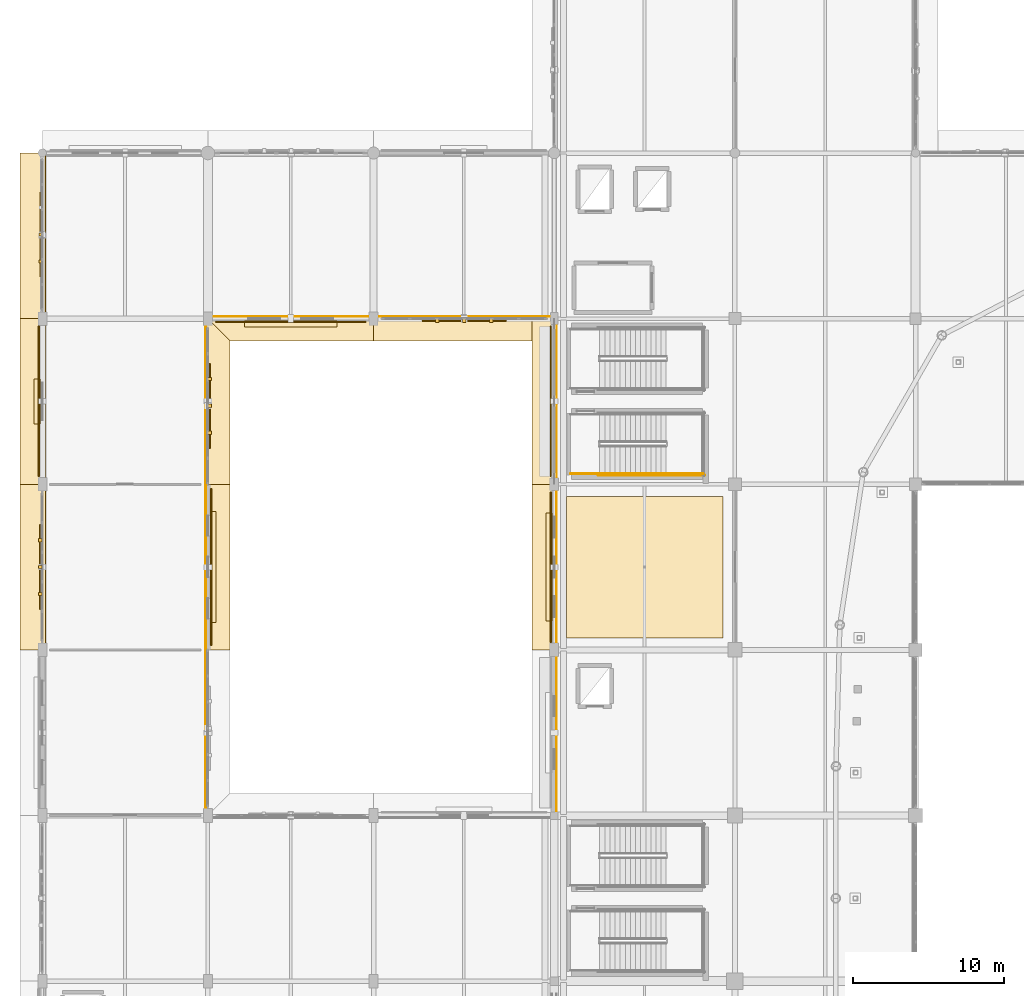
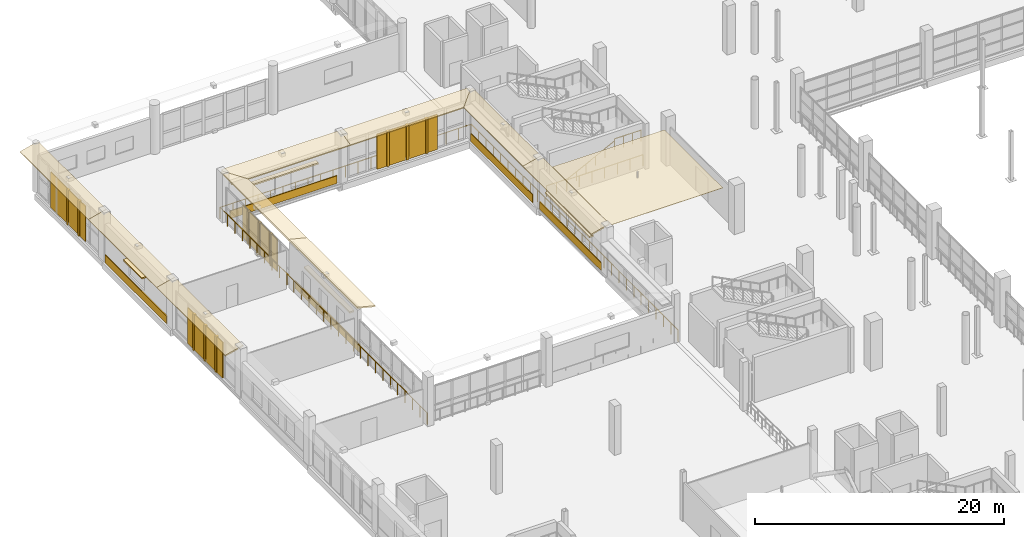
# One storey, part 125 of 143: 30 coverings, 7 railings, 4 shading devices.
"""IFC4 building model written with IfcOpenShell, lengths in metres."""

from ifc_helpers import new_model, si_unit, direction, frame, origin, origin_2d, place, context, subcontext, project, spatial, polyline, rectangle, circle, outline, extrude, material, layer, layer_set, type_object, element, save


model = new_model("IFC4")

# Units and contexts
model_context = context("Model", 3, precision=1e-05, world=origin(), true_north=direction((0.0, 1.0)))
body_context = subcontext(model_context, "Body", "Model", "MODEL_VIEW")
ifc_project = project(units=[si_unit("LENGTHUNIT", "METRE"), si_unit("AREAUNIT", "SQUARE_METRE"), si_unit("VOLUMEUNIT", "CUBIC_METRE"), si_unit("PLANEANGLEUNIT", "RADIAN"), si_unit("MASSUNIT", "GRAM", prefix="KILO")], contexts=[model_context])

# Site, building, storey
site_placement = place(None, origin())
site = spatial("IfcSite", under=ifc_project, at=site_placement, CompositionType="ELEMENT")
building_placement = place(site_placement, origin())
building = spatial("IfcBuilding", under=site, at=building_placement, Name="Luwafu Chhajja Arena", CompositionType="ELEMENT")
storey_placement = place(building_placement, frame((0.0, 0.0, 5.39990234375)))
storey = spatial("IfcBuildingStorey", under=building, at=storey_placement, Name="L01", CompositionType="ELEMENT", Elevation=5.39990234375)

# Railings
ifc_material_1 = material(Name="Stainless steel balustrade", Category="steel")
railing_type_1 = type_object("IfcRailingType", Name="Atrium Void Glazed Balustrade 1150", PredefinedType="BALUSTRADE", material=ifc_material_1)
railing_1_placement = place(storey_placement, frame((34.14990234375, 54.85009765625, 0.0)))
element("IfcRailing", 1, at=railing_1_placement, inside=storey, type_object=railing_type_1, Name="L01 Warm-Up Court Gallery Balustrade 0025", PredefinedType="BALUSTRADE", context=body_context, shape_type="SweptSolid", body=[
    extrude(circle(Radius=0.02392578125, at=origin_2d()), frame((0.0, 0.0, 1.1259765625), z_axis=(0.0, 1.0, 0.0), x_axis=(-1.0, 0.0, 0.0)), (0.0, 0.0, 1.0), 33.2998046875),
    extrude(circle(Radius=0.02099609375, at=origin_2d()), origin(), (0.0, 0.0, 1.0), 1.101806640625),
    extrude(circle(Radius=0.02099609375, at=origin_2d()), frame((0.0, 1.189208984375, 0.0)), (0.0, 0.0, 1.0), 1.101806640625),
    extrude(circle(Radius=0.02099609375, at=origin_2d()), frame((0.0, 2.378662109375, 0.0)), (0.0, 0.0, 1.0), 1.101806640625),
    extrude(circle(Radius=0.02099609375, at=origin_2d()), frame((0.0, 3.56787109375, 0.0)), (0.0, 0.0, 1.0), 1.101806640625),
    extrude(circle(Radius=0.02099609375, at=origin_2d()), frame((0.0, 4.757080078125, 0.0)), (0.0, 0.0, 1.0), 1.101806640625),
    extrude(circle(Radius=0.02099609375, at=origin_2d()), frame((0.0, 5.9462890625, 0.0)), (0.0, 0.0, 1.0), 1.101806640625),
    extrude(circle(Radius=0.02099609375, at=origin_2d()), frame((0.0, 7.1357421875, 0.0)), (0.0, 0.0, 1.0), 1.101806640625),
    extrude(circle(Radius=0.02099609375, at=origin_2d()), frame((0.0, 8.324951171875, 0.0)), (0.0, 0.0, 1.0), 1.101806640625),
    extrude(circle(Radius=0.02099609375, at=origin_2d()), frame((0.0, 9.51416015625, 0.0)), (0.0, 0.0, 1.0), 1.101806640625),
    extrude(circle(Radius=0.02099609375, at=origin_2d()), frame((0.0, 10.70361328125, 0.0)), (0.0, 0.0, 1.0), 1.101806640625),
    extrude(circle(Radius=0.02099609375, at=origin_2d()), frame((0.0, 11.892822265625, 0.0)), (0.0, 0.0, 1.0), 1.101806640625),
    extrude(circle(Radius=0.02099609375, at=origin_2d()), frame((0.0, 13.08203125, 0.0)), (0.0, 0.0, 1.0), 1.101806640625),
    extrude(circle(Radius=0.02099609375, at=origin_2d()), frame((0.0, 14.271240234375, 0.0)), (0.0, 0.0, 1.0), 1.101806640625),
    extrude(circle(Radius=0.02099609375, at=origin_2d()), frame((0.0, 15.460693359375, 0.0)), (0.0, 0.0, 1.0), 1.101806640625),
    extrude(circle(Radius=0.02099609375, at=origin_2d()), frame((0.0, 16.64990234375, 0.0)), (0.0, 0.0, 1.0), 1.101806640625),
    extrude(circle(Radius=0.02099609375, at=origin_2d()), frame((0.0, 17.839111328125, 0.0)), (0.0, 0.0, 1.0), 1.101806640625),
    extrude(circle(Radius=0.02099609375, at=origin_2d()), frame((0.0, 19.028564453125, 0.0)), (0.0, 0.0, 1.0), 1.101806640625),
    extrude(circle(Radius=0.02099609375, at=origin_2d()), frame((0.0, 20.2177734375, 0.0)), (0.0, 0.0, 1.0), 1.101806640625),
    extrude(circle(Radius=0.02099609375, at=origin_2d()), frame((0.0, 21.406982421875, 0.0)), (0.0, 0.0, 1.0), 1.101806640625),
    extrude(circle(Radius=0.02099609375, at=origin_2d()), frame((0.0, 22.59619140625, 0.0)), (0.0, 0.0, 1.0), 1.101806640625),
    extrude(circle(Radius=0.02099609375, at=origin_2d()), frame((0.0, 23.78564453125, 0.0)), (0.0, 0.0, 1.0), 1.101806640625),
    extrude(circle(Radius=0.02099609375, at=origin_2d()), frame((0.0, 24.974853515625, 0.0)), (0.0, 0.0, 1.0), 1.101806640625),
    extrude(circle(Radius=0.02099609375, at=origin_2d()), frame((0.0, 26.1640625, 0.0)), (0.0, 0.0, 1.0), 1.101806640625),
    extrude(circle(Radius=0.02099609375, at=origin_2d()), frame((0.0, 27.353515625, 0.0)), (0.0, 0.0, 1.0), 1.101806640625),
    extrude(circle(Radius=0.02099609375, at=origin_2d()), frame((0.0, 28.542724609375, 0.0)), (0.0, 0.0, 1.0), 1.101806640625),
    extrude(circle(Radius=0.02099609375, at=origin_2d()), frame((0.0, 29.73193359375, 0.0)), (0.0, 0.0, 1.0), 1.101806640625),
    extrude(circle(Radius=0.02099609375, at=origin_2d()), frame((0.0, 30.921142578125, 0.0)), (0.0, 0.0, 1.0), 1.101806640625),
    extrude(circle(Radius=0.02099609375, at=origin_2d()), frame((0.0, 32.110595703125, 0.0)), (0.0, 0.0, 1.0), 1.101806640625),
    extrude(circle(Radius=0.02099609375, at=origin_2d()), frame((0.0, 33.2998046875, 0.0)), (0.0, 0.0, 1.0), 1.101806640625),
])
railing_2_placement = place(storey_placement, frame((34.14990234375, 88.14990234375, 0.0)))
element("IfcRailing", 2, at=railing_2_placement, inside=storey, type_object=railing_type_1, Name="L01 Warm-Up Court Gallery Balustrade 0026", PredefinedType="BALUSTRADE", context=body_context, shape_type="SweptSolid", body=[
    extrude(circle(Radius=0.02392578125, at=origin_2d()), frame((0.0, 0.0, 1.1259765625), z_axis=(-1.0, 0.0, 0.0), x_axis=(0.0, -1.0, 0.0)), (0.0, 0.0, 1.0), 23.2998046875),
    extrude(circle(Radius=0.02099609375, at=origin_2d()), origin(), (0.0, 0.0, 1.0), 1.101806640625),
    extrude(circle(Radius=0.02099609375, at=origin_2d()), frame((-1.1650390625, 0.0, 0.0)), (0.0, 0.0, 1.0), 1.101806640625),
    extrude(circle(Radius=0.02099609375, at=origin_2d()), frame((-2.330078125, 0.0, 0.0)), (0.0, 0.0, 1.0), 1.101806640625),
    extrude(circle(Radius=0.02099609375, at=origin_2d()), frame((-3.494873046875, 0.0, 0.0)), (0.0, 0.0, 1.0), 1.101806640625),
    extrude(circle(Radius=0.02099609375, at=origin_2d()), frame((-4.659912109375, 0.0, 0.0)), (0.0, 0.0, 1.0), 1.101806640625),
    extrude(circle(Radius=0.02099609375, at=origin_2d()), frame((-5.824951171875, 0.0, 0.0)), (0.0, 0.0, 1.0), 1.101806640625),
    extrude(circle(Radius=0.02099609375, at=origin_2d()), frame((-6.989990234375, 0.0, 0.0)), (0.0, 0.0, 1.0), 1.101806640625),
    extrude(circle(Radius=0.02099609375, at=origin_2d()), frame((-8.155029296875, 0.0, 0.0)), (0.0, 0.0, 1.0), 1.101806640625),
    extrude(circle(Radius=0.02099609375, at=origin_2d()), frame((-9.31982421875, 0.0, 0.0)), (0.0, 0.0, 1.0), 1.101806640625),
    extrude(circle(Radius=0.02099609375, at=origin_2d()), frame((-10.48486328125, 0.0, 0.0)), (0.0, 0.0, 1.0), 1.101806640625),
    extrude(circle(Radius=0.02099609375, at=origin_2d()), frame((-11.64990234375, 0.0, 0.0)), (0.0, 0.0, 1.0), 1.101806640625),
    extrude(circle(Radius=0.02099609375, at=origin_2d()), frame((-12.81494140625, 0.0, 0.0)), (0.0, 0.0, 1.0), 1.101806640625),
    extrude(circle(Radius=0.02099609375, at=origin_2d()), frame((-13.97998046875, 0.0, 0.0)), (0.0, 0.0, 1.0), 1.101806640625),
    extrude(circle(Radius=0.02099609375, at=origin_2d()), frame((-15.144775390625, 0.0, 0.0)), (0.0, 0.0, 1.0), 1.101806640625),
    extrude(circle(Radius=0.02099609375, at=origin_2d()), frame((-16.309814453125, 0.0, 0.0)), (0.0, 0.0, 1.0), 1.101806640625),
    extrude(circle(Radius=0.02099609375, at=origin_2d()), frame((-17.474853515625, 0.0, 0.0)), (0.0, 0.0, 1.0), 1.101806640625),
    extrude(circle(Radius=0.02099609375, at=origin_2d()), frame((-18.639892578125, 0.0, 0.0)), (0.0, 0.0, 1.0), 1.101806640625),
    extrude(circle(Radius=0.02099609375, at=origin_2d()), frame((-19.804931640625, 0.0, 0.0)), (0.0, 0.0, 1.0), 1.101806640625),
    extrude(circle(Radius=0.02099609375, at=origin_2d()), frame((-20.9697265625, 0.0, 0.0)), (0.0, 0.0, 1.0), 1.101806640625),
    extrude(circle(Radius=0.02099609375, at=origin_2d()), frame((-22.134765625, 0.0, 0.0)), (0.0, 0.0, 1.0), 1.101806640625),
    extrude(circle(Radius=0.02099609375, at=origin_2d()), frame((-23.2998046875, 0.0, 0.0)), (0.0, 0.0, 1.0), 1.101806640625),
])
railing_3_placement = place(storey_placement, frame((10.85009765625, 88.14990234375, 0.0)))
element("IfcRailing", 3, at=railing_3_placement, inside=storey, type_object=railing_type_1, Name="L01 Warm-Up Court Gallery Balustrade 0027", PredefinedType="BALUSTRADE", context=body_context, shape_type="SweptSolid", body=[
    extrude(circle(Radius=0.02392578125, at=origin_2d()), frame((0.0, 0.0, 1.1259765625), z_axis=(0.0, -1.0, 0.0), x_axis=(1.0, 0.0, 0.0)), (0.0, 0.0, 1.0), 33.2998046875),
    extrude(circle(Radius=0.02099609375, at=origin_2d()), origin(), (0.0, 0.0, 1.0), 1.101806640625),
    extrude(circle(Radius=0.02099609375, at=origin_2d()), frame((0.0, -1.189208984375, 0.0)), (0.0, 0.0, 1.0), 1.101806640625),
    extrude(circle(Radius=0.02099609375, at=origin_2d()), frame((0.0, -2.378662109375, 0.0)), (0.0, 0.0, 1.0), 1.101806640625),
    extrude(circle(Radius=0.02099609375, at=origin_2d()), frame((0.0, -3.56787109375, 0.0)), (0.0, 0.0, 1.0), 1.101806640625),
    extrude(circle(Radius=0.02099609375, at=origin_2d()), frame((0.0, -4.757080078125, 0.0)), (0.0, 0.0, 1.0), 1.101806640625),
    extrude(circle(Radius=0.02099609375, at=origin_2d()), frame((0.0, -5.9462890625, 0.0)), (0.0, 0.0, 1.0), 1.101806640625),
    extrude(circle(Radius=0.02099609375, at=origin_2d()), frame((0.0, -7.1357421875, 0.0)), (0.0, 0.0, 1.0), 1.101806640625),
    extrude(circle(Radius=0.02099609375, at=origin_2d()), frame((0.0, -8.324951171875, 0.0)), (0.0, 0.0, 1.0), 1.101806640625),
    extrude(circle(Radius=0.02099609375, at=origin_2d()), frame((0.0, -9.51416015625, 0.0)), (0.0, 0.0, 1.0), 1.101806640625),
    extrude(circle(Radius=0.02099609375, at=origin_2d()), frame((0.0, -10.70361328125, 0.0)), (0.0, 0.0, 1.0), 1.101806640625),
    extrude(circle(Radius=0.02099609375, at=origin_2d()), frame((0.0, -11.892822265625, 0.0)), (0.0, 0.0, 1.0), 1.101806640625),
    extrude(circle(Radius=0.02099609375, at=origin_2d()), frame((0.0, -13.08203125, 0.0)), (0.0, 0.0, 1.0), 1.101806640625),
    extrude(circle(Radius=0.02099609375, at=origin_2d()), frame((0.0, -14.271240234375, 0.0)), (0.0, 0.0, 1.0), 1.101806640625),
    extrude(circle(Radius=0.02099609375, at=origin_2d()), frame((0.0, -15.460693359375, 0.0)), (0.0, 0.0, 1.0), 1.101806640625),
    extrude(circle(Radius=0.02099609375, at=origin_2d()), frame((0.0, -16.64990234375, 0.0)), (0.0, 0.0, 1.0), 1.101806640625),
    extrude(circle(Radius=0.02099609375, at=origin_2d()), frame((0.0, -17.839111328125, 0.0)), (0.0, 0.0, 1.0), 1.101806640625),
    extrude(circle(Radius=0.02099609375, at=origin_2d()), frame((0.0, -19.028564453125, 0.0)), (0.0, 0.0, 1.0), 1.101806640625),
    extrude(circle(Radius=0.02099609375, at=origin_2d()), frame((0.0, -20.2177734375, 0.0)), (0.0, 0.0, 1.0), 1.101806640625),
    extrude(circle(Radius=0.02099609375, at=origin_2d()), frame((0.0, -21.406982421875, 0.0)), (0.0, 0.0, 1.0), 1.101806640625),
    extrude(circle(Radius=0.02099609375, at=origin_2d()), frame((0.0, -22.59619140625, 0.0)), (0.0, 0.0, 1.0), 1.101806640625),
    extrude(circle(Radius=0.02099609375, at=origin_2d()), frame((0.0, -23.78564453125, 0.0)), (0.0, 0.0, 1.0), 1.101806640625),
    extrude(circle(Radius=0.02099609375, at=origin_2d()), frame((0.0, -24.974853515625, 0.0)), (0.0, 0.0, 1.0), 1.101806640625),
    extrude(circle(Radius=0.02099609375, at=origin_2d()), frame((0.0, -26.1640625, 0.0)), (0.0, 0.0, 1.0), 1.101806640625),
    extrude(circle(Radius=0.02099609375, at=origin_2d()), frame((0.0, -27.353515625, 0.0)), (0.0, 0.0, 1.0), 1.101806640625),
    extrude(circle(Radius=0.02099609375, at=origin_2d()), frame((0.0, -28.542724609375, 0.0)), (0.0, 0.0, 1.0), 1.101806640625),
    extrude(circle(Radius=0.02099609375, at=origin_2d()), frame((0.0, -29.73193359375, 0.0)), (0.0, 0.0, 1.0), 1.101806640625),
    extrude(circle(Radius=0.02099609375, at=origin_2d()), frame((0.0, -30.921142578125, 0.0)), (0.0, 0.0, 1.0), 1.101806640625),
    extrude(circle(Radius=0.02099609375, at=origin_2d()), frame((0.0, -32.110595703125, 0.0)), (0.0, 0.0, 1.0), 1.101806640625),
    extrude(circle(Radius=0.02099609375, at=origin_2d()), frame((0.0, -33.2998046875, 0.0)), (0.0, 0.0, 1.0), 1.101806640625),
])

# Coverings
ifc_material_2 = material(Name="Red laterite sandstone cladding", Category="masonry")
ifc_layer_1 = layer(ifc_material_2, 0.074951171875, Name="Red laterite sandstone cladding")
ifc_layer_set_1 = layer_set([ifc_layer_1], Name="Red laterite sandstone cladding")
covering_type_1 = type_object("IfcCoveringType", Name="Dressed Red-Laterite Sandstone Cladding", PredefinedType="CLADDING", material=ifc_layer_set_1)
covering_1_placement = place(storey_placement, frame((0.199951171875, 66.0, 4.760009765625), z_axis=(-0.242502450825, 0.0, 0.970150793096), x_axis=(0.0, 1.0, 0.0)))
element("IfcCovering", 4, at=covering_1_placement, inside=storey, type_object=covering_type_1, Name="L01 Continuous Sloped Sandstone Chhajja Eave 0066", PredefinedType="CLADDING", context=body_context, shape_type="SweptSolid", body=[
    extrude(outline(polyline([(0.0, 0.0), (11.0, 0.0), (11.0, 1.731619097341133), (0.0, 1.731619097341133), (0.0, 0.0)])), origin(), (0.0, 0.0, -1.0), 0.1298828125),
])
for number, where, z_axis, x_axis, name in (
    (5, (-0.1298828125, 69.7080078125, 0.0), (0.0, 0.0, 1.0), (0.0, 1.0, 0.0), "L01 Sandstone Jali Mullion Fin 003"),
    (6, (-0.1298828125, 71.5, 0.0), (0.0, 0.0, 1.0), (0.0, 1.0, 0.0), "L01 Sandstone Jali Mullion Fin 003"),
    (7, (-0.1298828125, 73.2919921875, 0.0), (0.0, 0.0, 1.0), (0.0, 1.0, 0.0), "L01 Sandstone Jali Mullion Fin 003"),
):
    element("IfcCovering", number, at=place(storey_placement, frame(where, z_axis=z_axis, x_axis=x_axis)), inside=storey, type_object=covering_type_1, Name=name, PredefinedType="CLADDING", context=body_context, shape_type="SweptSolid", body=[
        extrude(rectangle(XDim=0.219970703125, YDim=0.239990234375, at=origin_2d()), origin(), (0.0, 0.0, 1.0), 3.5400390625),
    ])
covering_2_placement = place(storey_placement, frame((10.800048828125, 66.0, 4.760009765625), z_axis=(0.242502450825, 0.0, 0.970150793096), x_axis=(0.0, 1.0, 0.0)))
element("IfcCovering", 8, at=covering_2_placement, inside=storey, type_object=covering_type_1, Name="L01 Continuous Sloped Sandstone Chhajja Eave 0067", PredefinedType="CLADDING", context=body_context, shape_type="SweptSolid", body=[
    extrude(outline(polyline([(0.0, 0.0), (11.0, 0.0), (11.0, -1.731619097341133), (0.0, -1.731619097341133), (0.0, 0.0)])), origin(), (0.0, 0.0, -1.0), 0.1298828125),
])
covering_3_placement = place(storey_placement, frame((11.2119140625, 71.5, 0.0), z_axis=(0.0, 0.0, 1.0), x_axis=(0.0, 1.0, 0.0)))
element("IfcCovering", 9, at=covering_3_placement, inside=storey, type_object=covering_type_1, Name="L01 Red-Laterite Sandstone Plinth Cladding 008", PredefinedType="CLADDING", context=body_context, shape_type="SweptSolid", body=[
    extrude(rectangle(XDim=10.39990234375, YDim=0.0849609375, at=origin_2d()), origin(), (0.0, 0.0, 1.0), 0.760009765625),
])
covering_4_placement = place(storey_placement, frame((11.340087890625, 71.5, 2.93017578125), z_axis=(0.0, 0.0, 1.0), x_axis=(0.0, 1.0, 0.0)))
element("IfcCovering", 10, at=covering_4_placement, inside=storey, type_object=covering_type_1, Name="L01 Mughal Sandstone Window Chhajja Hood 0008", PredefinedType="CLADDING", context=body_context, shape_type="SweptSolid", body=[
    extrude(rectangle(XDim=7.35009765625, YDim=0.419921875, at=origin_2d()), origin(), (0.0, 0.0, 1.0), 0.139892578125),
])
covering_5_placement = place(storey_placement, frame((0.199951171875, 77.0, 4.760009765625), z_axis=(-0.242502450825, 0.0, 0.970150793096), x_axis=(0.0, 1.0, 0.0)))
element("IfcCovering", 11, at=covering_5_placement, inside=storey, type_object=covering_type_1, Name="L01 Continuous Sloped Sandstone Chhajja Eave 0068", PredefinedType="CLADDING", context=body_context, shape_type="SweptSolid", body=[
    extrude(outline(polyline([(0.0, 0.0), (11.0, 0.0), (11.0, 1.731619097341133), (0.0, 1.731619097341133), (0.0, 0.0)])), origin(), (0.0, 0.0, -1.0), 0.1298828125),
])
covering_6_placement = place(storey_placement, frame((-0.2119140625, 82.5, 0.0), z_axis=(0.0, 0.0, 1.0), x_axis=(0.0, 1.0, 0.0)))
element("IfcCovering", 12, at=covering_6_placement, inside=storey, type_object=covering_type_1, Name="L01 Red-Laterite Sandstone Plinth Cladding 009", PredefinedType="CLADDING", context=body_context, shape_type="SweptSolid", body=[
    extrude(rectangle(XDim=9.9599609375, YDim=0.0849609375, at=origin_2d()), origin(), (0.0, 0.0, 1.0), 0.760009765625),
])
covering_7_placement = place(storey_placement, frame((-0.340087890625, 82.5, 2.38037109375), z_axis=(0.0, 0.0, 1.0), x_axis=(0.0, 1.0, 0.0)))
element("IfcCovering", 13, at=covering_7_placement, inside=storey, type_object=covering_type_1, Name="L01 Mughal Sandstone Window Chhajja Hood 0009", PredefinedType="CLADDING", context=body_context, shape_type="SweptSolid", body=[
    extrude(rectangle(XDim=3.0, YDim=0.419921875, at=origin_2d()), origin(), (0.0, 0.0, 1.0), 0.139892578125),
])
covering_8_placement = place(storey_placement, frame((10.800048828125, 77.0, 4.760009765625), z_axis=(0.242502450825, 0.0, 0.970150793096), x_axis=(0.0, 1.0, 0.0)))
element("IfcCovering", 14, at=covering_8_placement, inside=storey, type_object=covering_type_1, Name="L01 Continuous Sloped Sandstone Chhajja Eave 0069", PredefinedType="CLADDING", context=body_context, shape_type="SweptSolid", body=[
    extrude(outline(polyline([(0.0, 0.0), (11.0, 0.0), (11.0, -1.731619097341133), (0.0, -1.731619097341133), (0.0, 0.0)])), origin(), (0.0, 0.0, -1.0), 0.1298828125),
])
for number, where, z_axis, x_axis, name in (
    (15, (11.1298828125, 80.4130859375, 0.000244140625), (0.0, 0.0, 1.0), (0.0, 1.0, 0.0), "L01 Sandstone Jali Mullion Fin 004"),
    (16, (11.1298828125, 82.205078125, 0.000244140625), (0.0, 0.0, 1.0), (0.0, 1.0, 0.0), "L01 Sandstone Jali Mullion Fin 004"),
    (17, (11.1298828125, 83.9970703125, 0.000244140625), (0.0, 0.0, 1.0), (0.0, 1.0, 0.0), "L01 Sandstone Jali Mullion Fin 004"),
):
    element("IfcCovering", number, at=place(storey_placement, frame(where, z_axis=z_axis, x_axis=x_axis)), inside=storey, type_object=covering_type_1, Name=name, PredefinedType="CLADDING", context=body_context, shape_type="SweptSolid", body=[
        extrude(rectangle(XDim=0.219970703125, YDim=0.239990234375, at=origin_2d()), origin(), (0.0, 0.0, 1.0), 3.18994140625),
    ])
covering_9_placement = place(storey_placement, frame((0.199951171875, 88.0, 4.760009765625), z_axis=(-0.242502450825, 0.0, 0.970150793096), x_axis=(0.0, 1.0, 0.0)))
element("IfcCovering", 18, at=covering_9_placement, inside=storey, type_object=covering_type_1, Name="L01 Continuous Sloped Sandstone Chhajja Eave 0071", PredefinedType="CLADDING", context=body_context, shape_type="SweptSolid", body=[
    extrude(outline(polyline([(0.0, 0.0), (11.0, 0.0), (11.0, 1.731619097341133), (0.0, 1.731619097341133), (0.0, 0.0)])), origin(), (0.0, 0.0, -1.0), 0.1298828125),
])
for number, where, z_axis, x_axis, name in (
    (19, (-0.110107421875, 91.79541015625, 0.000244140625), (0.0, 0.0, 1.0), (0.0, 1.0, 0.0), "L01 Sandstone Jali Mullion Fin 005"),
    (20, (-0.110107421875, 93.58740234375, 0.000244140625), (0.0, 0.0, 1.0), (0.0, 1.0, 0.0), "L01 Sandstone Jali Mullion Fin 005"),
):
    element("IfcCovering", number, at=place(storey_placement, frame(where, z_axis=z_axis, x_axis=x_axis)), inside=storey, type_object=covering_type_1, Name=name, PredefinedType="CLADDING", context=body_context, shape_type="SweptSolid", body=[
        extrude(rectangle(XDim=0.219970703125, YDim=0.239990234375, at=origin_2d()), origin(), (0.0, 0.0, 1.0), 3.45654296875),
    ])
covering_10_placement = place(storey_placement, frame((11.0, 88.199951171875, 4.760009765625), z_axis=(0.0, -0.242502450825, 0.970150793096), x_axis=(1.0, 0.0, 0.0)))
element("IfcCovering", 21, at=covering_10_placement, inside=storey, type_object=covering_type_1, Name="L01 Continuous Sloped Sandstone Chhajja Eave 0076", PredefinedType="CLADDING", context=body_context, shape_type="SweptSolid", body=[
    extrude(outline(polyline([(0.0, 0.0), (11.0, 0.0), (11.0, -1.731619097341133), (0.0, -1.731619097341133), (0.0, 0.0)])), origin(), (0.0, 0.0, -1.0), 0.1298828125),
])
covering_11_placement = place(storey_placement, frame((16.5, 87.7880859375, 0.0), z_axis=(0.0, 0.0, 1.0), x_axis=(1.0, 0.0, 0.0)))
element("IfcCovering", 22, at=covering_11_placement, inside=storey, type_object=covering_type_1, Name="L01 Red-Laterite Sandstone Plinth Cladding 012", PredefinedType="CLADDING", context=body_context, shape_type="SweptSolid", body=[
    extrude(rectangle(XDim=9.9599609375, YDim=0.0849609375, at=origin_2d()), origin(), (0.0, 0.0, 1.0), 0.760009765625),
])
covering_12_placement = place(storey_placement, frame((16.5, 87.659912109375, 2.72998046875), z_axis=(0.0, 0.0, 1.0), x_axis=(1.0, 0.0, 0.0)))
element("IfcCovering", 23, at=covering_12_placement, inside=storey, type_object=covering_type_1, Name="L01 Mughal Sandstone Window Chhajja Hood 0012", PredefinedType="CLADDING", context=body_context, shape_type="SweptSolid", body=[
    extrude(rectangle(XDim=6.1201171875, YDim=0.419921875, at=origin_2d()), origin(), (0.0, 0.0, 1.0), 0.139892578125),
])
covering_13_placement = place(storey_placement, frame((22.0, 88.199951171875, 4.760009765625), z_axis=(0.0, -0.242502450825, 0.970150793096), x_axis=(1.0, 0.0, 0.0)))
element("IfcCovering", 24, at=covering_13_placement, inside=storey, type_object=covering_type_1, Name="L01 Continuous Sloped Sandstone Chhajja Eave 0081", PredefinedType="CLADDING", context=body_context, shape_type="SweptSolid", body=[
    extrude(outline(polyline([(0.0, 0.0), (12.0, 0.0), (12.0, -1.731619097341133), (0.0, -1.731619097341133), (0.0, 0.0)])), origin(), (0.0, 0.0, -1.0), 0.1298828125),
])
for number, where, z_axis, x_axis, name in (
    (25, (26.23291015625, 87.8701171875, 0.000244140625), (0.0, 0.0, 1.0), (1.0, 0.0, 0.0), "L01 Sandstone Jali Mullion Fin 009"),
    (26, (28.02490234375, 87.8701171875, 0.000244140625), (0.0, 0.0, 1.0), (1.0, 0.0, 0.0), "L01 Sandstone Jali Mullion Fin 009"),
    (27, (29.81689453125, 87.8701171875, 0.000244140625), (0.0, 0.0, 1.0), (1.0, 0.0, 0.0), "L01 Sandstone Jali Mullion Fin 009"),
):
    element("IfcCovering", number, at=place(storey_placement, frame(where, z_axis=z_axis, x_axis=x_axis)), inside=storey, type_object=covering_type_1, Name=name, PredefinedType="CLADDING", context=body_context, shape_type="SweptSolid", body=[
        extrude(rectangle(XDim=0.219970703125, YDim=0.239990234375, at=origin_2d()), origin(), (0.0, 0.0, 1.0), 3.43994140625),
    ])
covering_14_placement = place(storey_placement, frame((34.199951171875, 66.0, 4.760009765625), z_axis=(-0.242502450825, 0.0, 0.970150793096), x_axis=(0.0, 1.0, 0.0)))
element("IfcCovering", 28, at=covering_14_placement, inside=storey, type_object=covering_type_1, Name="L01 Continuous Sloped Sandstone Chhajja Eave 0085", PredefinedType="CLADDING", context=body_context, shape_type="SweptSolid", body=[
    extrude(outline(polyline([(0.0, 0.0), (11.0, 0.0), (11.0, 1.731619097341133), (0.0, 1.731619097341133), (0.0, 0.0)])), origin(), (0.0, 0.0, -1.0), 0.1298828125),
])
covering_15_placement = place(storey_placement, frame((33.7880859375, 71.5, 0.0), z_axis=(0.0, 0.0, 1.0), x_axis=(0.0, 1.0, 0.0)))
element("IfcCovering", 29, at=covering_15_placement, inside=storey, type_object=covering_type_1, Name="L01 Red-Laterite Sandstone Plinth Cladding 018", PredefinedType="CLADDING", context=body_context, shape_type="SweptSolid", body=[
    extrude(rectangle(XDim=9.9599609375, YDim=0.0849609375, at=origin_2d()), origin(), (0.0, 0.0, 1.0), 0.760009765625),
])
covering_16_placement = place(storey_placement, frame((33.659912109375, 71.5, 2.47998046875), z_axis=(0.0, 0.0, 1.0), x_axis=(0.0, 1.0, 0.0)))
element("IfcCovering", 30, at=covering_16_placement, inside=storey, type_object=covering_type_1, Name="L01 Mughal Sandstone Window Chhajja Hood 0018", PredefinedType="CLADDING", context=body_context, shape_type="SweptSolid", body=[
    extrude(rectangle(XDim=7.179931640625, YDim=0.419921875, at=origin_2d()), origin(), (0.0, 0.0, 1.0), 0.139892578125),
])
covering_17_placement = place(storey_placement, frame((34.199951171875, 77.0, 4.760009765625), z_axis=(-0.242502450825, 0.0, 0.970150793096), x_axis=(0.0, 1.0, 0.0)))
element("IfcCovering", 31, at=covering_17_placement, inside=storey, type_object=covering_type_1, Name="L01 Continuous Sloped Sandstone Chhajja Eave 0086", PredefinedType="CLADDING", context=body_context, shape_type="SweptSolid", body=[
    extrude(outline(polyline([(0.0, 0.0), (11.0, 0.0), (11.0, 1.731619097341133), (0.0, 1.731619097341133), (0.0, 0.0)])), origin(), (0.0, 0.0, -1.0), 0.1298828125),
])
covering_18_placement = place(storey_placement, frame((33.76806640625, 82.5, 0.0), z_axis=(0.0, 0.0, 1.0), x_axis=(0.0, 1.0, 0.0)))
element("IfcCovering", 32, at=covering_18_placement, inside=storey, type_object=covering_type_1, Name="L01 Red-Laterite Sandstone Plinth Cladding 019", PredefinedType="CLADDING", context=body_context, shape_type="SweptSolid", body=[
    extrude(rectangle(XDim=9.9599609375, YDim=0.0849609375, at=origin_2d()), origin(), (0.0, 0.0, 1.0), 0.760009765625),
])
ifc_material_3 = material(Name="Acoustic gypsum ceiling board")
ifc_layer_2 = layer(ifc_material_3, 0.0400390625, Name="Acoustic gypsum ceiling board")
ifc_layer_set_2 = layer_set([ifc_layer_2], Name="Acoustic gypsum ceiling board")
covering_type_2 = type_object("IfcCoveringType", Name="Perforated Acoustic Baffle Ceiling", PredefinedType="CEILING", material=ifc_layer_set_2)
covering_19_placement = place(storey_placement, frame((0.0, 0.0, 3.92138671875)))
element("IfcCovering", 33, at=covering_19_placement, inside=storey, type_object=covering_type_2, Name="L01 Acoustic Baffle Ceiling 028", PredefinedType="CEILING", context=body_context, shape_type="SweptSolid", body=[
    extrude(outline(polyline([(34.800048828125, 66.800048828125), (45.199951171875, 66.800048828125), (45.199951171875, 76.199951171875), (34.800048828125, 76.199951171875), (34.800048828125, 66.800048828125)])), origin(), (0.0, 0.0, 1.0), 0.0400390625),
])

# Shading devices
ifc_material_4 = material(Name="Pierced buff sandstone jali", Category="masonry")
ifc_layer_3 = layer(ifc_material_4, 0.080078125, Name="Pierced buff sandstone jali")
ifc_layer_set_3 = layer_set([ifc_layer_3], Name="Pierced buff sandstone jali")
shading_device_type = type_object("IfcShadingDeviceType", Name="Pierced Buff-Sandstone Jali Screen", PredefinedType="JALOUSIE", material=ifc_layer_set_3)
shading_device_1_placement = place(storey_placement, frame((-0.1298828125, 71.5, 0.0), z_axis=(0.0, 0.0, 1.0), x_axis=(0.0, 1.0, 0.0)))
element("IfcShadingDevice", 34, at=shading_device_1_placement, inside=storey, type_object=shading_device_type, Name="L01 Pierced Buff-Sandstone Jali Screen 003", PredefinedType="JALOUSIE", context=body_context, shape_type="SweptSolid", body=[
    extrude(rectangle(XDim=5.60009765625, YDim=0.080078125, at=origin_2d()), origin(), (0.0, 0.0, 1.0), 3.5400390625),
])
shading_device_2_placement = place(storey_placement, frame((11.1298828125, 82.205078125, 0.000244140625), z_axis=(0.0, 0.0, 1.0), x_axis=(0.0, 1.0, 0.0)))
element("IfcShadingDevice", 35, at=shading_device_2_placement, inside=storey, type_object=shading_device_type, Name="L01 Pierced Buff-Sandstone Jali Screen 004", PredefinedType="JALOUSIE", context=body_context, shape_type="SweptSolid", body=[
    extrude(rectangle(XDim=5.60009765625, YDim=0.080078125, at=origin_2d()), origin(), (0.0, 0.0, 1.0), 3.18994140625),
])
shading_device_3_placement = place(storey_placement, frame((-0.110107421875, 93.58740234375, 0.000244140625), z_axis=(0.0, 0.0, 1.0), x_axis=(0.0, 1.0, 0.0)))
element("IfcShadingDevice", 36, at=shading_device_3_placement, inside=storey, type_object=shading_device_type, Name="L01 Pierced Buff-Sandstone Jali Screen 005", PredefinedType="JALOUSIE", context=body_context, shape_type="SweptSolid", body=[
    extrude(rectangle(XDim=5.60009765625, YDim=0.080078125, at=origin_2d()), origin(), (0.0, 0.0, 1.0), 3.45654296875),
])
shading_device_4_placement = place(storey_placement, frame((28.02490234375, 87.8701171875, 0.000244140625), z_axis=(0.0, 0.0, 1.0), x_axis=(1.0, 0.0, 0.0)))
element("IfcShadingDevice", 37, at=shading_device_4_placement, inside=storey, type_object=shading_device_type, Name="L01 Pierced Buff-Sandstone Jali Screen 009", PredefinedType="JALOUSIE", context=body_context, shape_type="SweptSolid", body=[
    extrude(rectangle(XDim=5.60009765625, YDim=0.080078125, at=origin_2d()), origin(), (0.0, 0.0, 1.0), 3.43994140625),
])

# Railings
ifc_material_5 = material(Name="Stainless steel handrail", Category="steel")
railing_type_2 = type_object("IfcRailingType", Name="Stair Pitch Wall Handrail 920", PredefinedType="HANDRAIL", material=ifc_material_5)
railing_4_placement = place(storey_placement, frame((37.02001953125, 77.699951171875, 0.171630859375)))
element("IfcRailing", 38, at=railing_4_placement, inside=storey, type_object=railing_type_2, Name="L01 ST-05 stair handrail 1", PredefinedType="HANDRAIL", context=body_context, shape_type="SweptSolid", body=[
    extrude(circle(Radius=0.02392578125, at=origin_2d()), frame((0.0, 0.0, 0.8759765625), z_axis=(0.89292277971, 0.0, 0.450209850486), x_axis=(0.0, 1.0, 0.0)), (0.0, 0.0, 1.0), 4.949951171875),
    extrude(circle(Radius=0.02099609375, at=origin_2d()), origin(), (0.0, 0.0, 1.0), 0.851806640625),
    extrude(circle(Radius=0.02099609375, at=origin_2d()), frame((0.884033203125, 0.0, 0.44580078125)), (0.0, 0.0, 1.0), 0.851806640625),
    extrude(circle(Radius=0.02099609375, at=origin_2d()), frame((1.76806640625, 0.0, 0.891357421875)), (0.0, 0.0, 1.0), 0.851806640625),
    extrude(circle(Radius=0.02099609375, at=origin_2d()), frame((2.65185546875, 0.0, 1.337158203125)), (0.0, 0.0, 1.0), 0.851806640625),
    extrude(circle(Radius=0.02099609375, at=origin_2d()), frame((3.535888671875, 0.0, 1.78271484375)), (0.0, 0.0, 1.0), 0.851806640625),
    extrude(circle(Radius=0.02099609375, at=origin_2d()), frame((4.419921875, 0.0, 2.228515625)), (0.0, 0.0, 1.0), 0.851806640625),
])
railing_type_3 = type_object("IfcRailingType", Name="Stair and Terrace Guard Balustrade 1100", PredefinedType="BALUSTRADE", material=ifc_material_1)
railing_5_placement = place(storey_placement, frame((41.43994140625, 77.699951171875, 2.400146484375)))
element("IfcRailing", 39, at=railing_5_placement, inside=storey, type_object=railing_type_3, Name="L01 ST-05 stair guard 3", PredefinedType="BALUSTRADE", context=body_context, shape_type="SweptSolid", body=[
    extrude(circle(Radius=0.02392578125, at=origin_2d()), frame((0.0, 0.0, 1.076171875), z_axis=(1.0, 0.0, 0.0), x_axis=(0.0, 1.0, 0.0)), (0.0, 0.0, 1.0), 2.4599609375),
    extrude(circle(Radius=0.02099609375, at=origin_2d()), origin(), (0.0, 0.0, 1.0), 1.052001953125),
    extrude(circle(Radius=0.02099609375, at=origin_2d()), frame((0.820068359375, 0.0, 0.0)), (0.0, 0.0, 1.0), 1.052001953125),
    extrude(circle(Radius=0.02099609375, at=origin_2d()), frame((1.639892578125, 0.0, 0.0)), (0.0, 0.0, 1.0), 1.052001953125),
    extrude(circle(Radius=0.02099609375, at=origin_2d()), frame((2.4599609375, 0.0, 0.0)), (0.0, 0.0, 1.0), 1.052001953125),
])
railing_6_placement = place(storey_placement, frame((35.10009765625, 77.699951171875, 0.0)))
element("IfcRailing", 40, at=railing_6_placement, inside=storey, type_object=railing_type_3, Name="L01 ST-05 stair guard 8", PredefinedType="BALUSTRADE", context=body_context, shape_type="SweptSolid", body=[
    extrude(circle(Radius=0.02392578125, at=origin_2d()), frame((0.0, 0.0, 1.076171875), z_axis=(1.0, 0.0, 0.0), x_axis=(0.0, 1.0, 0.0)), (0.0, 0.0, 1.0), 1.919921875),
    extrude(circle(Radius=0.02099609375, at=origin_2d()), origin(), (0.0, 0.0, 1.0), 1.052001953125),
    extrude(circle(Radius=0.02099609375, at=origin_2d()), frame((0.9599609375, 0.0, 0.0)), (0.0, 0.0, 1.0), 1.052001953125),
    extrude(circle(Radius=0.02099609375, at=origin_2d()), frame((1.919921875, 0.0, 0.0)), (0.0, 0.0, 1.0), 1.052001953125),
])
railing_7_placement = place(storey_placement, frame((36.919921875, 77.60009765625, 0.0)))
element("IfcRailing", 41, at=railing_7_placement, inside=storey, type_object=railing_type_3, Name="L01 ST-05 stair guard 10", PredefinedType="BALUSTRADE", context=body_context, shape_type="SweptSolid", body=[
    extrude(circle(Radius=0.02392578125, at=origin_2d()), frame((0.0, 0.0, 1.076171875), z_axis=(1.0, 0.0, 0.0), x_axis=(0.0, 1.0, 0.0)), (0.0, 0.0, 1.0), 7.080078125),
    extrude(circle(Radius=0.02099609375, at=origin_2d()), origin(), (0.0, 0.0, 1.0), 1.052001953125),
    extrude(circle(Radius=0.02099609375, at=origin_2d()), frame((1.179931640625, 0.0, 0.0)), (0.0, 0.0, 1.0), 1.052001953125),
    extrude(circle(Radius=0.02099609375, at=origin_2d()), frame((2.360107421875, 0.0, 0.0)), (0.0, 0.0, 1.0), 1.052001953125),
    extrude(circle(Radius=0.02099609375, at=origin_2d()), frame((3.5400390625, 0.0, 0.0)), (0.0, 0.0, 1.0), 1.052001953125),
    extrude(circle(Radius=0.02099609375, at=origin_2d()), frame((4.719970703125, 0.0, 0.0)), (0.0, 0.0, 1.0), 1.052001953125),
    extrude(circle(Radius=0.02099609375, at=origin_2d()), frame((5.900146484375, 0.0, 0.0)), (0.0, 0.0, 1.0), 1.052001953125),
    extrude(circle(Radius=0.02099609375, at=origin_2d()), frame((7.080078125, 0.0, 0.0)), (0.0, 0.0, 1.0), 1.052001953125),
])

save(model, "model.ifc")
